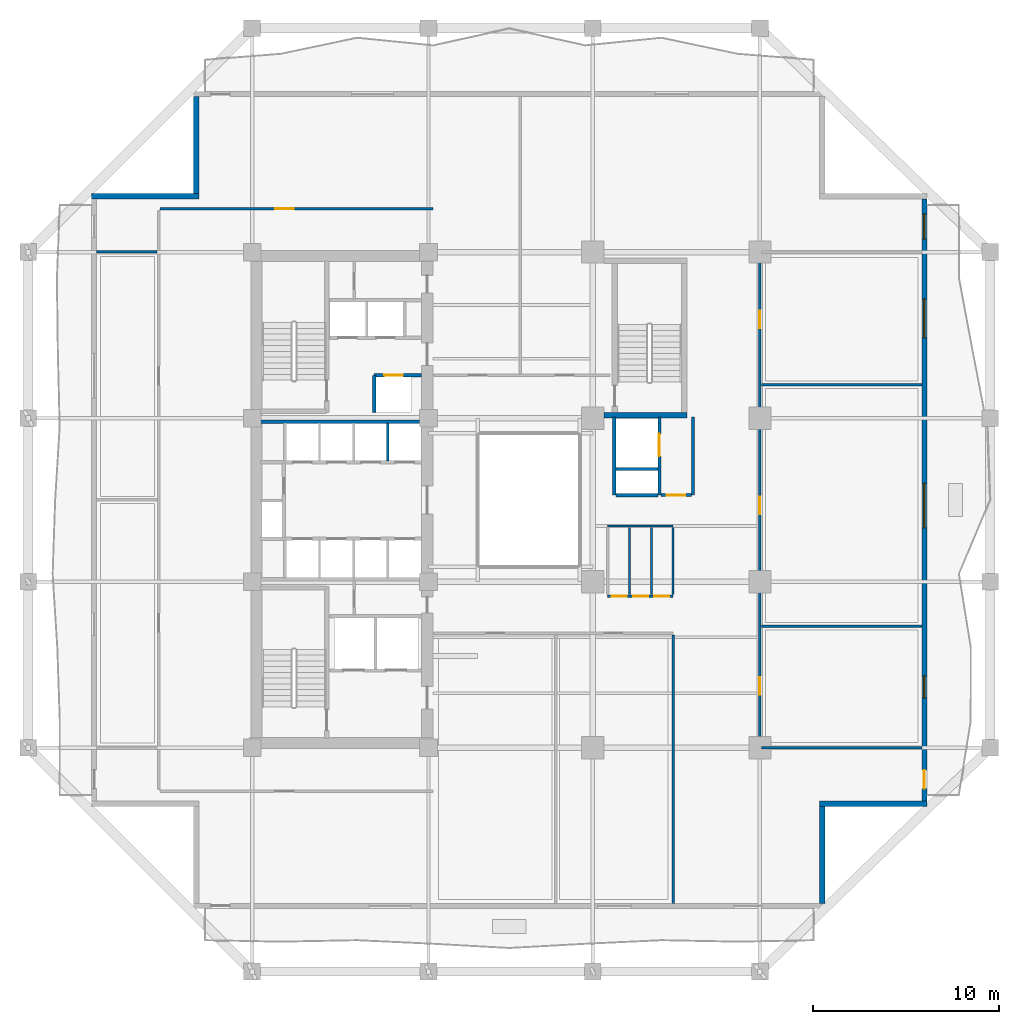
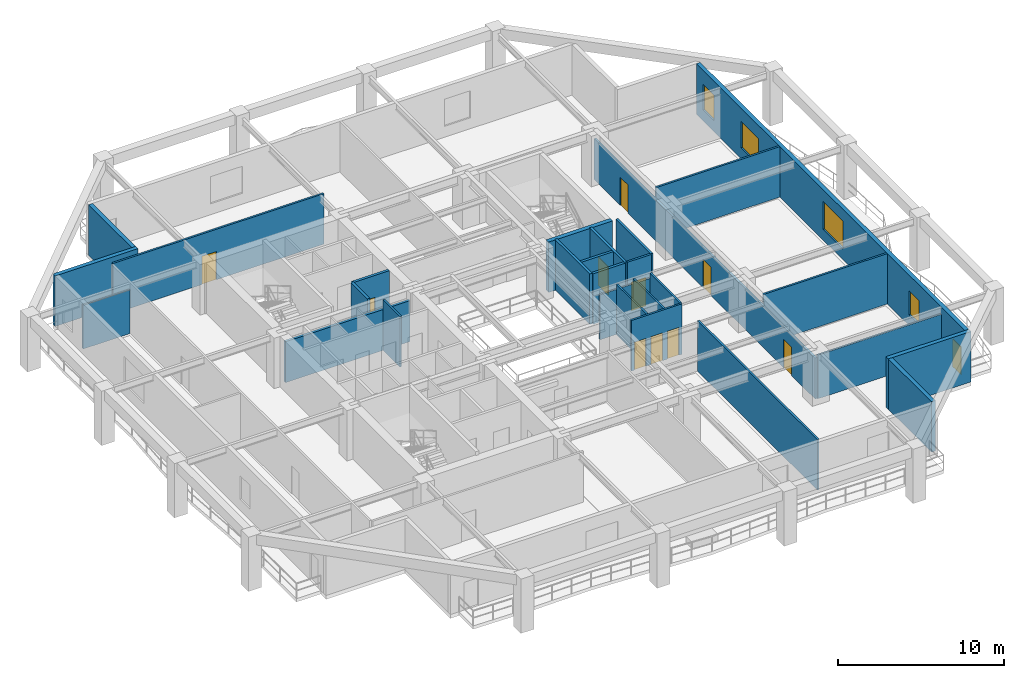
# One storey, part 4 of 12: 28 walls, 11 doors, 4 windows, 15 openings.
"""IFC4 building model written with IfcOpenShell, lengths in metres."""

from ifc_helpers import new_model, si_unit, direction, frame, frame_2d, origin, place, context, subcontext, project, spatial, rectangle, extrude, material, layer, layer_set, type_object, element, fill, save


model = new_model("IFC4")

# Units and contexts
model_context = context("Model", 3, precision=1e-05, world=origin(), true_north=direction((0.0, 1.0)))
body_context = subcontext(model_context, "Body", "Model", "MODEL_VIEW")
ifc_project = project(units=[si_unit("LENGTHUNIT", "METRE"), si_unit("AREAUNIT", "SQUARE_METRE"), si_unit("VOLUMEUNIT", "CUBIC_METRE"), si_unit("PLANEANGLEUNIT", "RADIAN"), si_unit("MASSUNIT", "GRAM", prefix="KILO")], contexts=[model_context])

# Site, building, storey
site_placement = place(None, origin())
site = spatial("IfcSite", under=ifc_project, at=site_placement, CompositionType="ELEMENT")
building_placement = place(site_placement, origin())
building = spatial("IfcBuilding", under=site, at=building_placement, Name="Kundavana Baori Tower", CompositionType="ELEMENT")
storey_placement = place(building_placement, frame((0.0, 0.0, 38.0)))
storey = spatial("IfcBuildingStorey", under=building, at=storey_placement, Name="L08", CompositionType="ELEMENT", Elevation=38.0)

# Walls
ifc_material_1 = material(Name="Red-Buff Dholpur Sandstone Cladding on Concrete C40/50", Category="masonry")
ifc_layer_1 = layer(ifc_material_1, 0.280029296875, Name="WL-EXT-SAND-280")
ifc_layer_set_1 = layer_set([ifc_layer_1], Name="Red-Buff Dholpur Sandstone Cladding on Concrete C40/50")
wall_type_1 = type_object("IfcWallType", Name="WL-EXT-SAND-280", PredefinedType="STANDARD", material=ifc_layer_set_1)
wall_1_placement = place(storey_placement, frame((46.159912109375, 6.8798828125, 0.0), z_axis=(0.0, 0.0, 1.0), x_axis=(0.0, 1.0, 0.0)))
element("IfcWall", 1, at=wall_1_placement, inside=storey, type_object=wall_type_1, Name="L08 Exterior Insulated Facade Wall 02", PredefinedType="STANDARD", context=body_context, shape_type="SweptSolid", body=[
    extrude(rectangle(XDim=5.22021484375, YDim=0.280029296875, at=frame_2d((2.610107421875, 0.0))), origin(), (0.0, 0.0, 1.0), 3.719970703125),
])
wall_2_placement = place(storey_placement, frame((46.02001953125, 12.239990234375, 0.0), z_axis=(0.0, 0.0, 1.0), x_axis=(1.0, 0.0, 0.0)))
element("IfcWall", 2, at=wall_2_placement, inside=storey, type_object=wall_type_1, Name="L08 Exterior Insulated Facade Wall 03", PredefinedType="STANDARD", context=body_context, shape_type="SweptSolid", body=[
    extrude(rectangle(XDim=5.780029296875, YDim=0.280029296875, at=frame_2d((2.89013671875, 0.0))), origin(), (0.0, 0.0, 1.0), 3.719970703125),
])

# Wall, openings, door, windows
wall_3_placement = place(storey_placement, frame((51.659912109375, 12.3798828125, 0.0), z_axis=(0.0, 0.0, 1.0), x_axis=(0.0, 1.0, 0.0)))
wall_3 = element("IfcWall", 3, at=wall_3_placement, inside=storey, type_object=wall_type_1, Name="L08 Exterior Insulated Facade Wall 04", PredefinedType="STANDARD", context=body_context, shape_type="SweptSolid", body=[
    extrude(rectangle(XDim=32.440185546875, YDim=0.280029296875, at=frame_2d((16.22021484375, 0.0))), origin(), (0.0, 0.0, 1.0), 3.719970703125),
])
opening_1_placement = place(wall_3_placement, frame((0.669921875, 0.0, 0.0)))
opening_1 = element("IfcOpeningElement", 4, at=opening_1_placement, cuts=wall_3, Name="Opening BD-1", PredefinedType="OPENING", context=body_context, shape_type="SweptSolid", body=[
    extrude(rectangle(XDim=1.0, YDim=2.050048828125, at=frame_2d((0.5, 1.02490234375))), frame((0.0, 0.14990234375, 0.0), z_axis=(0.0, -1.0, 0.0), x_axis=(1.0, 0.0, 0.0)), (0.0, 0.0, 1.0), 0.300048828125),
])
opening_2_placement = place(wall_3_placement, frame((5.544921875, 0.0, 0.800048828125)))
opening_2 = element("IfcOpeningElement", 5, at=opening_2_placement, cuts=wall_3, Name="Opening W-03", PredefinedType="OPENING", context=body_context, shape_type="SweptSolid", body=[
    extrude(rectangle(XDim=1.199951171875, YDim=1.75, at=frame_2d((0.60009765625, 0.875))), frame((0.0, 0.14990234375, 0.0), z_axis=(0.0, -1.0, 0.0), x_axis=(1.0, 0.0, 0.0)), (0.0, 0.0, 1.0), 0.300048828125),
])
opening_3_placement = place(wall_3_placement, frame((14.719970703125, 0.0, 0.800048828125)))
opening_3 = element("IfcOpeningElement", 6, at=opening_3_placement, cuts=wall_3, Name="Opening W-04", PredefinedType="OPENING", context=body_context, shape_type="SweptSolid", body=[
    extrude(rectangle(XDim=2.39990234375, YDim=2.050048828125, at=frame_2d((1.199951171875, 1.02490234375))), frame((0.0, 0.14990234375, 0.0), z_axis=(0.0, -1.0, 0.0), x_axis=(1.0, 0.0, 0.0)), (0.0, 0.0, 1.0), 0.300048828125),
])
opening_4_placement = place(wall_3_placement, frame((24.945068359375, 0.0, 0.800048828125)))
opening_4 = element("IfcOpeningElement", 7, at=opening_4_placement, cuts=wall_3, Name="Opening W-05", PredefinedType="OPENING", context=body_context, shape_type="SweptSolid", body=[
    extrude(rectangle(XDim=2.10009765625, YDim=1.949951171875, at=frame_2d((1.050048828125, 0.97509765625))), frame((0.0, 0.14990234375, 0.0), z_axis=(0.0, -1.0, 0.0), x_axis=(1.0, 0.0, 0.0)), (0.0, 0.0, 1.0), 0.300048828125),
])
opening_5_placement = place(wall_3_placement, frame((30.27490234375, 0.0, 0.800048828125)))
opening_5 = element("IfcOpeningElement", 8, at=opening_5_placement, cuts=wall_3, Name="Opening W-07", PredefinedType="OPENING", context=body_context, shape_type="SweptSolid", body=[
    extrude(rectangle(XDim=1.35009765625, YDim=1.89990234375, at=frame_2d((0.675048828125, 0.949951171875))), frame((0.0, 0.14990234375, 0.0), z_axis=(0.0, -1.0, 0.0), x_axis=(1.0, 0.0, 0.0)), (0.0, 0.0, 1.0), 0.300048828125),
])
ifc_material_2 = material(Name="Architectural Patinated Bronze Metalwork")
door_type_1 = type_object("IfcDoorType", Name="DR-EXT-LOG-1000", OperationType="NOTDEFINED", PredefinedType="DOOR", material=ifc_material_2)
door_1_placement = place(opening_1_placement, frame((1.0, 0.0, 0.0), z_axis=(0.0, 0.0, 1.0), x_axis=(-1.0, 0.0, 0.0)))
door_1 = element("IfcDoor", 9, at=door_1_placement, inside=storey, type_object=door_type_1, Name="L08 Loggia Balcony Access Door E", OperationType="SINGLE_SWING_RIGHT", OverallHeight=2.050048828125, OverallWidth=1.0, PredefinedType="DOOR", context=body_context, shape_type="SweptSolid", body=[
    extrude(rectangle(XDim=1.0, YDim=2.050048828125, at=frame_2d((0.5, 1.02490234375))), frame((0.0, 0.02490234375, 0.0), z_axis=(0.0, -1.0, 0.0), x_axis=(1.0, 0.0, 0.0)), (0.0, 0.0, 1.0), 0.050048828125),
])
fill(opening_1, door_1)
ifc_material_3 = material(Name="Double-Glazed Solar-Control Low-E Insulated Glass", Category="glass")
window_type_1 = type_object("IfcWindowType", Name="WIN-LOG-1200x1750", PartitioningType="SINGLE_PANEL", PredefinedType="WINDOW", material=ifc_material_3)
window_1_placement = place(opening_2_placement, origin())
window_1 = element("IfcWindow", 10, at=window_1_placement, inside=storey, type_object=window_type_1, Name="L08 Recessed Loggia Window E-2", OverallHeight=1.75, OverallWidth=1.199951171875, PartitioningType="SINGLE_PANEL", PredefinedType="WINDOW", context=body_context, shape_type="SweptSolid", body=[
    extrude(rectangle(XDim=1.199951171875, YDim=1.75, at=frame_2d((0.60009765625, 0.875))), frame((0.0, 0.030029296875, 0.0), z_axis=(0.0, -1.0, 0.0), x_axis=(1.0, 0.0, 0.0)), (0.0, 0.0, 1.0), 0.06005859375),
])
fill(opening_2, window_1)
ifc_material_4 = material(Name="Double-Glazed Solar-Control Low-E Insulated Glass", Category="glass")
window_type_2 = type_object("IfcWindowType", Name="WIN-LOG-1350x1900", PartitioningType="SINGLE_PANEL", PredefinedType="WINDOW", material=ifc_material_4)
window_2_placement = place(opening_5_placement, origin())
window_2 = element("IfcWindow", 11, at=window_2_placement, inside=storey, type_object=window_type_2, Name="L08 Recessed Loggia Window E-5", OverallHeight=1.89990234375, OverallWidth=1.35009765625, PartitioningType="SINGLE_PANEL", PredefinedType="WINDOW", context=body_context, shape_type="SweptSolid", body=[
    extrude(rectangle(XDim=1.35009765625, YDim=1.89990234375, at=frame_2d((0.675048828125, 0.949951171875))), frame((0.0, 0.030029296875, 0.0), z_axis=(0.0, -1.0, 0.0), x_axis=(1.0, 0.0, 0.0)), (0.0, 0.0, 1.0), 0.06005859375),
])
fill(opening_5, window_2)
ifc_material_5 = material(Name="Double-Glazed Solar-Control Low-E Insulated Glass", Category="glass")
window_type_3 = type_object("IfcWindowType", Name="WIN-LOG-2100x1950", PartitioningType="SINGLE_PANEL", PredefinedType="WINDOW", material=ifc_material_5)
window_3_placement = place(opening_4_placement, origin())
window_3 = element("IfcWindow", 12, at=window_3_placement, inside=storey, type_object=window_type_3, Name="L08 Recessed Loggia Window E-4", OverallHeight=1.949951171875, OverallWidth=2.10009765625, PartitioningType="SINGLE_PANEL", PredefinedType="WINDOW", context=body_context, shape_type="SweptSolid", body=[
    extrude(rectangle(XDim=2.10009765625, YDim=1.949951171875, at=frame_2d((1.050048828125, 0.97509765625))), frame((0.0, 0.030029296875, 0.0), z_axis=(0.0, -1.0, 0.0), x_axis=(1.0, 0.0, 0.0)), (0.0, 0.0, 1.0), 0.06005859375),
])
fill(opening_4, window_3)
ifc_material_6 = material(Name="Double-Glazed Solar-Control Low-E Insulated Glass", Category="glass")
window_type_4 = type_object("IfcWindowType", Name="WIN-LOG-2400x2050", PartitioningType="SINGLE_PANEL", PredefinedType="WINDOW", material=ifc_material_6)
window_4_placement = place(opening_3_placement, origin())
window_4 = element("IfcWindow", 13, at=window_4_placement, inside=storey, type_object=window_type_4, Name="L08 Recessed Loggia Window E-3", OverallHeight=2.050048828125, OverallWidth=2.39990234375, PartitioningType="SINGLE_PANEL", PredefinedType="WINDOW", context=body_context, shape_type="SweptSolid", body=[
    extrude(rectangle(XDim=2.39990234375, YDim=2.050048828125, at=frame_2d((1.199951171875, 1.02490234375))), frame((0.0, 0.030029296875, 0.0), z_axis=(0.0, -1.0, 0.0), x_axis=(1.0, 0.0, 0.0)), (0.0, 0.0, 1.0), 0.06005859375),
])
fill(opening_3, window_4)

# Walls
wall_4_placement = place(storey_placement, frame((12.43994140625, 50.320068359375, 0.0), z_axis=(0.0, 0.0, 1.0), x_axis=(0.0, -1.0, 0.0)))
element("IfcWall", 14, at=wall_4_placement, inside=storey, type_object=wall_type_1, Name="L08 Exterior Insulated Facade Wall 08", PredefinedType="STANDARD", context=body_context, shape_type="SweptSolid", body=[
    extrude(rectangle(XDim=5.219970703125, YDim=0.280029296875, at=frame_2d((2.60986328125, 0.0))), origin(), (0.0, 0.0, 1.0), 3.719970703125),
])
wall_5_placement = place(storey_placement, frame((12.580078125, 44.9599609375, 0.0), z_axis=(0.0, 0.0, 1.0), x_axis=(-1.0, 0.0, 0.0)))
element("IfcWall", 15, at=wall_5_placement, inside=storey, type_object=wall_type_1, Name="L08 Exterior Insulated Facade Wall 09", PredefinedType="STANDARD", context=body_context, shape_type="SweptSolid", body=[
    extrude(rectangle(XDim=5.780029296875, YDim=0.280029296875, at=frame_2d((2.89013671875, 0.0))), origin(), (0.0, 0.0, 1.0), 3.719970703125),
])
ifc_material_7 = material(Name="Acoustic Gypsum Plasterboard on Galvanised Steel Studs", Category="steel")
ifc_layer_2 = layer(ifc_material_7, 0.1201171875, Name="WL-PART-120")
ifc_layer_set_2 = layer_set([ifc_layer_2], Name="Acoustic Gypsum Plasterboard on Galvanised Steel Studs")
wall_type_2 = type_object("IfcWallType", Name="WL-PART-120", PredefinedType="PARTITIONING", material=ifc_layer_set_2)
wall_6_placement = place(storey_placement, frame((22.760009765625, 30.699951171875, 0.0), z_axis=(0.0, 0.0, 1.0), x_axis=(0.0, 1.0, 0.0)))
element("IfcWall", 16, at=wall_6_placement, inside=storey, type_object=wall_type_2, Name="WL-L08-LPMID-D3", PredefinedType="PARTITIONING", context=body_context, shape_type="SweptSolid", body=[
    extrude(rectangle(XDim=2.050048828125, YDim=0.1201171875, at=frame_2d((1.02490234375, 0.0))), origin(), (0.0, 0.0, 1.0), 3.719970703125),
])
ifc_material_8 = material(Name="Acoustic Gypsum Plasterboard on Galvanised Steel Studs", Category="steel")
ifc_layer_3 = layer(ifc_material_8, 0.135009765625, Name="WL-PART-135")
ifc_layer_set_3 = layer_set([ifc_layer_3], Name="Acoustic Gypsum Plasterboard on Galvanised Steel Studs")
wall_type_3 = type_object("IfcWallType", Name="WL-PART-135", PredefinedType="PARTITIONING", material=ifc_layer_set_3)
wall_7_placement = place(storey_placement, frame((38.1201171875, 6.8798828125, 0.0), z_axis=(0.0, 0.0, 1.0), x_axis=(0.0, 1.0, 0.0)))
element("IfcWall", 17, at=wall_7_placement, inside=storey, type_object=wall_type_3, Name="WL-L08-OFSEND", PredefinedType="PARTITIONING", context=body_context, shape_type="SweptSolid", body=[
    extrude(rectangle(XDim=14.460205078125, YDim=0.135009765625, at=frame_2d((7.22998046875, 0.0))), origin(), (0.0, 0.0, 1.0), 3.719970703125),
])

# Wall, openings, doors
wall_8_placement = place(storey_placement, frame((34.60009765625, 23.419921875, 0.0), z_axis=(0.0, 0.0, 1.0), x_axis=(1.0, 0.0, 0.0)))
wall_8 = element("IfcWall", 18, at=wall_8_placement, inside=storey, type_object=wall_type_3, Name="WL-L08-OFST", PredefinedType="PARTITIONING", context=body_context, shape_type="SweptSolid", body=[
    extrude(rectangle(XDim=3.52001953125, YDim=0.135009765625, at=frame_2d((1.760009765625, 0.0))), origin(), (0.0, 0.0, 1.0), 3.719970703125),
])
opening_6_placement = place(wall_8_placement, frame((0.219970703125, 0.0, 0.0)))
opening_6 = element("IfcOpeningElement", 19, at=opening_6_placement, cuts=wall_8, Name="Opening WD-080", PredefinedType="OPENING", context=body_context, shape_type="SweptSolid", body=[
    extrude(rectangle(XDim=0.800048828125, YDim=2.050048828125, at=frame_2d((0.39990234375, 1.02490234375))), frame((0.0, 0.07763671875, 0.0), z_axis=(0.0, -1.0, 0.0), x_axis=(1.0, 0.0, 0.0)), (0.0, 0.0, 1.0), 0.155029296875),
])
opening_7_placement = place(wall_8_placement, frame((1.3798828125, 0.0, 0.0)))
opening_7 = element("IfcOpeningElement", 20, at=opening_7_placement, cuts=wall_8, Name="Opening WD-080", PredefinedType="OPENING", context=body_context, shape_type="SweptSolid", body=[
    extrude(rectangle(XDim=0.800048828125, YDim=2.050048828125, at=frame_2d((0.39990234375, 1.02490234375))), frame((0.0, 0.07763671875, 0.0), z_axis=(0.0, -1.0, 0.0), x_axis=(1.0, 0.0, 0.0)), (0.0, 0.0, 1.0), 0.155029296875),
])
opening_8_placement = place(wall_8_placement, frame((2.52001953125, 0.0, 0.0)))
opening_8 = element("IfcOpeningElement", 21, at=opening_8_placement, cuts=wall_8, Name="Opening WD-080", PredefinedType="OPENING", context=body_context, shape_type="SweptSolid", body=[
    extrude(rectangle(XDim=0.800048828125, YDim=2.050048828125, at=frame_2d((0.39990234375, 1.02490234375))), frame((0.0, 0.07763671875, 0.0), z_axis=(0.0, -1.0, 0.0), x_axis=(1.0, 0.0, 0.0)), (0.0, 0.0, 1.0), 0.155029296875),
])
ifc_material_9 = material(Name="Engineered Teak Solid-Core Timber Veneer", Category="wood")
door_type_2 = type_object("IfcDoorType", Name="DR-WET-800", OperationType="NOTDEFINED", PredefinedType="DOOR", material=ifc_material_9)
door_2_placement = place(opening_6_placement, origin())
door_2 = element("IfcDoor", 22, at=door_2_placement, inside=storey, type_object=door_type_2, Name="DR-L08-WCM", OperationType="SINGLE_SWING_LEFT", OverallHeight=2.050048828125, OverallWidth=0.800048828125, PredefinedType="DOOR", context=body_context, shape_type="SweptSolid", body=[
    extrude(rectangle(XDim=0.800048828125, YDim=2.050048828125, at=frame_2d((0.39990234375, 1.02490234375))), frame((0.0, 0.02490234375, 0.0), z_axis=(0.0, -1.0, 0.0), x_axis=(1.0, 0.0, 0.0)), (0.0, 0.0, 1.0), 0.050048828125),
])
fill(opening_6, door_2)
door_3_placement = place(opening_7_placement, origin())
door_3 = element("IfcDoor", 23, at=door_3_placement, inside=storey, type_object=door_type_2, Name="DR-L08-WCA", OperationType="SINGLE_SWING_RIGHT", OverallHeight=2.050048828125, OverallWidth=0.800048828125, PredefinedType="DOOR", context=body_context, shape_type="SweptSolid", body=[
    extrude(rectangle(XDim=0.800048828125, YDim=2.050048828125, at=frame_2d((0.39990234375, 1.02490234375))), frame((0.0, 0.02490234375, 0.0), z_axis=(0.0, -1.0, 0.0), x_axis=(1.0, 0.0, 0.0)), (0.0, 0.0, 1.0), 0.050048828125),
])
fill(opening_7, door_3)
door_4_placement = place(opening_8_placement, origin())
door_4 = element("IfcDoor", 24, at=door_4_placement, inside=storey, type_object=door_type_2, Name="DR-L08-PNT", OperationType="SINGLE_SWING_LEFT", OverallHeight=2.050048828125, OverallWidth=0.800048828125, PredefinedType="DOOR", context=body_context, shape_type="SweptSolid", body=[
    extrude(rectangle(XDim=0.800048828125, YDim=2.050048828125, at=frame_2d((0.39990234375, 1.02490234375))), frame((0.0, 0.02490234375, 0.0), z_axis=(0.0, -1.0, 0.0), x_axis=(1.0, 0.0, 0.0)), (0.0, 0.0, 1.0), 0.050048828125),
])
fill(opening_8, door_4)

wall_9_placement = place(storey_placement, frame((42.800048828125, 15.25, 0.0), z_axis=(0.0, 0.0, 1.0), x_axis=(0.0, 1.0, 0.0)))
wall_9 = element("IfcWall", 25, at=wall_9_placement, inside=storey, type_object=wall_type_3, Name="WL-L08-OFE", PredefinedType="PARTITIONING", context=body_context, shape_type="SweptSolid", body=[
    extrude(rectangle(XDim=26.699951171875, YDim=0.135009765625, at=frame_2d((13.35009765625, 0.0))), origin(), (0.0, 0.0, 1.0), 3.02001953125),
])
opening_9_placement = place(wall_9_placement, frame((2.85009765625, 0.0, 0.0)))
opening_9 = element("IfcOpeningElement", 26, at=opening_9_placement, cuts=wall_9, Name="Opening ID-095", PredefinedType="OPENING", context=body_context, shape_type="SweptSolid", body=[
    extrude(rectangle(XDim=0.949951171875, YDim=2.080078125, at=frame_2d((0.47509765625, 1.0400390625))), frame((0.0, 0.07763671875, 0.0), z_axis=(0.0, -1.0, 0.0), x_axis=(1.0, 0.0, 0.0)), (0.0, 0.0, 1.0), 0.155029296875),
])
opening_10_placement = place(wall_9_placement, frame((12.574951171875, 0.0, 0.0)))
opening_10 = element("IfcOpeningElement", 27, at=opening_10_placement, cuts=wall_9, Name="Opening ID-095", PredefinedType="OPENING", context=body_context, shape_type="SweptSolid", body=[
    extrude(rectangle(XDim=0.949951171875, YDim=2.080078125, at=frame_2d((0.47509765625, 1.0400390625))), frame((0.0, 0.07763671875, 0.0), z_axis=(0.0, -1.0, 0.0), x_axis=(1.0, 0.0, 0.0)), (0.0, 0.0, 1.0), 0.155029296875),
])
opening_11_placement = place(wall_9_placement, frame((22.60009765625, 0.0, 0.0)))
opening_11 = element("IfcOpeningElement", 28, at=opening_11_placement, cuts=wall_9, Name="Opening ID-095", PredefinedType="OPENING", context=body_context, shape_type="SweptSolid", body=[
    extrude(rectangle(XDim=0.949951171875, YDim=2.080078125, at=frame_2d((0.47509765625, 1.0400390625))), frame((0.0, 0.07763671875, 0.0), z_axis=(0.0, -1.0, 0.0), x_axis=(1.0, 0.0, 0.0)), (0.0, 0.0, 1.0), 0.155029296875),
])
ifc_material_10 = material(Name="Engineered Teak Solid-Core Timber Veneer", Category="wood")
door_type_3 = type_object("IfcDoorType", Name="DR-INT-950", OperationType="NOTDEFINED", PredefinedType="DOOR", material=ifc_material_10)
door_5_placement = place(opening_9_placement, origin())
door_5 = element("IfcDoor", 29, at=door_5_placement, inside=storey, type_object=door_type_3, Name="DR-L08-OFE1", OperationType="SINGLE_SWING_RIGHT", OverallHeight=2.080078125, OverallWidth=0.949951171875, PredefinedType="DOOR", context=body_context, shape_type="SweptSolid", body=[
    extrude(rectangle(XDim=0.949951171875, YDim=2.080078125, at=frame_2d((0.47509765625, 1.0400390625))), frame((0.0, 0.02490234375, 0.0), z_axis=(0.0, -1.0, 0.0), x_axis=(1.0, 0.0, 0.0)), (0.0, 0.0, 1.0), 0.050048828125),
])
fill(opening_9, door_5)
door_6_placement = place(opening_10_placement, origin())
door_6 = element("IfcDoor", 30, at=door_6_placement, inside=storey, type_object=door_type_3, Name="DR-L08-OFE2", OperationType="SINGLE_SWING_LEFT", OverallHeight=2.080078125, OverallWidth=0.949951171875, PredefinedType="DOOR", context=body_context, shape_type="SweptSolid", body=[
    extrude(rectangle(XDim=0.949951171875, YDim=2.080078125, at=frame_2d((0.47509765625, 1.0400390625))), frame((0.0, 0.02490234375, 0.0), z_axis=(0.0, -1.0, 0.0), x_axis=(1.0, 0.0, 0.0)), (0.0, 0.0, 1.0), 0.050048828125),
])
fill(opening_10, door_6)
door_7_placement = place(opening_11_placement, origin())
door_7 = element("IfcDoor", 31, at=door_7_placement, inside=storey, type_object=door_type_3, Name="DR-L08-OFE3", OperationType="SINGLE_SWING_RIGHT", OverallHeight=2.080078125, OverallWidth=0.949951171875, PredefinedType="DOOR", context=body_context, shape_type="SweptSolid", body=[
    extrude(rectangle(XDim=0.949951171875, YDim=2.080078125, at=frame_2d((0.47509765625, 1.0400390625))), frame((0.0, 0.02490234375, 0.0), z_axis=(0.0, -1.0, 0.0), x_axis=(1.0, 0.0, 0.0)), (0.0, 0.0, 1.0), 0.050048828125),
])
fill(opening_11, door_7)

# Walls
wall_10_placement = place(storey_placement, frame((42.8798828125, 15.25, 0.0), z_axis=(0.0, 0.0, 1.0), x_axis=(1.0, 0.0, 0.0)))
element("IfcWall", 32, at=wall_10_placement, inside=storey, type_object=wall_type_3, Name="WL-L08-OFES", PredefinedType="PARTITIONING", context=body_context, shape_type="SweptSolid", body=[
    extrude(rectangle(XDim=8.64013671875, YDim=0.135009765625, at=frame_2d((4.320068359375, 0.0))), origin(), (0.0, 0.0, 1.0), 3.219970703125),
])
wall_11_placement = place(storey_placement, frame((7.080078125, 41.97998046875, 0.0), z_axis=(0.0, 0.0, 1.0), x_axis=(1.0, 0.0, 0.0)))
element("IfcWall", 33, at=wall_11_placement, inside=storey, type_object=wall_type_3, Name="WL-L08-OWN", PredefinedType="PARTITIONING", context=body_context, shape_type="SweptSolid", body=[
    extrude(rectangle(XDim=3.260009765625, YDim=0.135009765625, at=frame_2d((1.6298828125, 0.0))), origin(), (0.0, 0.0, 1.0), 3.219970703125),
])

# Wall, opening, door
wall_12_placement = place(storey_placement, frame((10.5, 44.280029296875, 0.0), z_axis=(0.0, 0.0, 1.0), x_axis=(1.0, 0.0, 0.0)))
wall_12 = element("IfcWall", 34, at=wall_12_placement, inside=storey, type_object=wall_type_3, Name="WL-L08-ONC", PredefinedType="PARTITIONING", context=body_context, shape_type="SweptSolid", body=[
    extrude(rectangle(XDim=14.699951171875, YDim=0.135009765625, at=frame_2d((7.35009765625, 0.0))), origin(), (0.0, 0.0, 1.0), 3.719970703125),
])
opening_12_placement = place(wall_12_placement, frame((6.199951171875, 0.0, 0.0)))
opening_12 = element("IfcOpeningElement", 35, at=opening_12_placement, cuts=wall_12, Name="Opening ID-100", PredefinedType="OPENING", context=body_context, shape_type="SweptSolid", body=[
    extrude(rectangle(XDim=1.0, YDim=2.080078125, at=frame_2d((0.5, 1.0400390625))), frame((0.0, 0.07763671875, 0.0), z_axis=(0.0, -1.0, 0.0), x_axis=(1.0, 0.0, 0.0)), (0.0, 0.0, 1.0), 0.155029296875),
])
ifc_material_11 = material(Name="Engineered Teak Solid-Core Timber Veneer", Category="wood")
door_type_4 = type_object("IfcDoorType", Name="DR-INT-1000", OperationType="NOTDEFINED", PredefinedType="DOOR", material=ifc_material_11)
door_8_placement = place(opening_12_placement, origin())
door_8 = element("IfcDoor", 36, at=door_8_placement, inside=storey, type_object=door_type_4, Name="DR-L08-ONWC", OperationType="SINGLE_SWING_RIGHT", OverallHeight=2.080078125, OverallWidth=1.0, PredefinedType="DOOR", context=body_context, shape_type="SweptSolid", body=[
    extrude(rectangle(XDim=1.0, YDim=2.080078125, at=frame_2d((0.5, 1.0400390625))), frame((0.0, 0.02490234375, 0.0), z_axis=(0.0, -1.0, 0.0), x_axis=(1.0, 0.0, 0.0)), (0.0, 0.0, 1.0), 0.050048828125),
])
fill(opening_12, door_8)

# Walls
for number, where, z_axis, x_axis, name in (
    (37, (42.8798828125, 21.800048828125, 0.0), (0.0, 0.0, 1.0), (1.0, 0.0, 0.0), "WL-L08-ED1"),
    (38, (42.8798828125, 34.800048828125, 0.0), (0.0, 0.0, 1.0), (1.0, 0.0, 0.0), "WL-L08-ED2"),
):
    element("IfcWall", number, at=place(storey_placement, frame(where, z_axis=z_axis, x_axis=x_axis)), inside=storey, type_object=wall_type_3, Name=name, PredefinedType="PARTITIONING", context=body_context, shape_type="SweptSolid", body=[
        extrude(rectangle(XDim=8.64013671875, YDim=0.135009765625, at=frame_2d((4.320068359375, 0.0))), origin(), (0.0, 0.0, 1.0), 3.719970703125),
    ])
ifc_material_12 = material(Name="Fire-Rated Gypsum Drywall on Galvanised Steel Studs", Category="steel")
ifc_layer_4 = layer(ifc_material_12, 0.14990234375, Name="WL-PART-150")
ifc_layer_set_4 = layer_set([ifc_layer_4], Name="Fire-Rated Gypsum Drywall on Galvanised Steel Studs")
wall_type_4 = type_object("IfcWallType", Name="WL-PART-150", PredefinedType="PARTITIONING", material=ifc_layer_set_4)
wall_13_placement = place(storey_placement, frame((39.199951171875, 28.860107421875, 0.0), z_axis=(0.0, 0.0, 1.0), x_axis=(0.0, 1.0, 0.0)))
element("IfcWall", 39, at=wall_13_placement, inside=storey, type_object=wall_type_4, Name="WL-L08-SVLOB-E", PredefinedType="PARTITIONING", context=body_context, shape_type="SweptSolid", body=[
    extrude(rectangle(XDim=4.219970703125, YDim=0.14990234375, at=frame_2d((2.10986328125, 0.0))), origin(), (0.0, 0.0, 1.0), 3.719970703125),
])

# Wall, opening, door
wall_14_placement = place(storey_placement, frame((37.47998046875, 28.860107421875, 0.0), z_axis=(0.0, 0.0, 1.0), x_axis=(1.0, 0.0, 0.0)))
wall_14 = element("IfcWall", 40, at=wall_14_placement, inside=storey, type_object=wall_type_4, Name="WL-L08-SVLOB-S", PredefinedType="PARTITIONING", context=body_context, shape_type="SweptSolid", body=[
    extrude(rectangle(XDim=1.64013671875, YDim=0.14990234375, at=frame_2d((0.820068359375, 0.0))), origin(), (0.0, 0.0, 1.0), 3.719970703125),
])
opening_13_placement = place(wall_14_placement, frame((0.300048828125, 0.0, 0.0)))
opening_13 = element("IfcOpeningElement", 41, at=opening_13_placement, cuts=wall_14, Name="Opening FD-100", PredefinedType="OPENING", context=body_context, shape_type="SweptSolid", body=[
    extrude(rectangle(XDim=1.0, YDim=2.10009765625, at=frame_2d((0.5, 1.050048828125))), frame((0.0, 0.0849609375, 0.0), z_axis=(0.0, -1.0, 0.0), x_axis=(1.0, 0.0, 0.0)), (0.0, 0.0, 1.0), 0.169921875),
])
ifc_material_13 = material(Name="Engineered Teak Fire-Rated Timber Door Leaf", Category="wood")
door_type_5 = type_object("IfcDoorType", Name="DR-FD60-1000", OperationType="NOTDEFINED", PredefinedType="DOOR", material=ifc_material_13)
door_9_placement = place(opening_13_placement, origin())
door_9 = element("IfcDoor", 42, at=door_9_placement, inside=storey, type_object=door_type_5, Name="DR-L08-SVLOB-OUT", OperationType="SINGLE_SWING_LEFT", OverallHeight=2.10009765625, OverallWidth=1.0, PredefinedType="DOOR", context=body_context, shape_type="SweptSolid", body=[
    extrude(rectangle(XDim=1.0, YDim=2.10009765625, at=frame_2d((0.5, 1.050048828125))), frame((0.0, 0.02490234375, 0.0), z_axis=(0.0, -1.0, 0.0), x_axis=(1.0, 0.0, 0.0)), (0.0, 0.0, 1.0), 0.050048828125),
])
fill(opening_13, door_9)

# Wall
ifc_material_14 = material(Name="Autoclaved Aerated Concrete Blockwork Masonry", Category="masonry")
ifc_layer_5 = layer(ifc_material_14, 0.179931640625, Name="WL-SHAFT-180")
ifc_layer_set_5 = layer_set([ifc_layer_5], Name="Autoclaved Aerated Concrete Blockwork Masonry")
wall_type_5 = type_object("IfcWallType", Name="WL-SHAFT-180", PredefinedType="SOLIDWALL", material=ifc_layer_set_5)
wall_15_placement = place(storey_placement, frame((15.89990234375, 32.820068359375, 0.0), z_axis=(0.0, 0.0, 1.0), x_axis=(1.0, 0.0, 0.0)))
element("IfcWall", 43, at=wall_15_placement, inside=storey, type_object=wall_type_5, Name="WL-L08-LPMID-N", PredefinedType="SOLIDWALL", context=body_context, shape_type="SweptSolid", body=[
    extrude(rectangle(XDim=8.68017578125, YDim=0.179931640625, at=frame_2d((4.340087890625, 0.0))), origin(), (0.0, 0.0, 1.0), 3.02001953125),
])

# Wall, opening, door
wall_16_placement = place(storey_placement, frame((22.02001953125, 35.31005859375, 0.0), z_axis=(0.0, 0.0, 1.0), x_axis=(1.0, 0.0, 0.0)))
wall_16 = element("IfcWall", 44, at=wall_16_placement, inside=storey, type_object=wall_type_5, Name="WL-L08-LP11-N", PredefinedType="SOLIDWALL", context=body_context, shape_type="SweptSolid", body=[
    extrude(rectangle(XDim=2.56005859375, YDim=0.179931640625, at=frame_2d((1.280029296875, 0.0))), origin(), (0.0, 0.0, 1.0), 3.719970703125),
])
opening_14_placement = place(wall_16_placement, frame((0.550048828125, 0.0, 0.0)))
opening_14 = element("IfcOpeningElement", 45, at=opening_14_placement, cuts=wall_16, Name="Opening LD-100", PredefinedType="OPENING", context=body_context, shape_type="SweptSolid", body=[
    extrude(rectangle(XDim=1.0, YDim=2.10009765625, at=frame_2d((0.5, 1.050048828125))), frame((0.0, 0.10009765625, 0.0), z_axis=(0.0, -1.0, 0.0), x_axis=(1.0, 0.0, 0.0)), (0.0, 0.0, 1.0), 0.199951171875),
])
ifc_material_15 = material(Name="Galvanised Steel Fire-Rated Door Leaf", Category="steel")
door_type_6 = type_object("IfcDoorType", Name="DR-SLIDE-LD1000", OperationType="NOTDEFINED", PredefinedType="DOOR", material=ifc_material_15)
door_10_placement = place(opening_14_placement, origin())
door_10 = element("IfcDoor", 46, at=door_10_placement, inside=storey, type_object=door_type_6, Name="DR-L08-LD-LP11", OperationType="DOUBLE_DOOR_SLIDING", OverallHeight=2.10009765625, OverallWidth=1.0, PredefinedType="DOOR", context=body_context, shape_type="SweptSolid", body=[
    extrude(rectangle(XDim=1.0, YDim=2.10009765625, at=frame_2d((0.5, 1.050048828125))), frame((0.0, 0.02490234375, 0.0), z_axis=(0.0, -1.0, 0.0), x_axis=(1.0, 0.0, 0.0)), (0.0, 0.0, 1.0), 0.050048828125),
])
fill(opening_14, door_10)

# Walls
wall_17_placement = place(storey_placement, frame((22.02001953125, 33.300048828125, 0.0), z_axis=(0.0, 0.0, 1.0), x_axis=(0.0, 1.0, 0.0)))
element("IfcWall", 47, at=wall_17_placement, inside=storey, type_object=wall_type_5, Name="WL-L08-LP11-W", PredefinedType="SOLIDWALL", context=body_context, shape_type="SweptSolid", body=[
    extrude(rectangle(XDim=2.010009765625, YDim=0.179931640625, at=frame_2d((1.0048828125, 0.0))), origin(), (0.0, 0.0, 1.0), 3.719970703125),
])
wall_18_placement = place(storey_placement, frame((34.9599609375, 28.860107421875, 0.0), z_axis=(0.0, 0.0, 1.0), x_axis=(0.0, 1.0, 0.0)))
element("IfcWall", 48, at=wall_18_placement, inside=storey, type_object=wall_type_5, Name="WL-L08-SVL-W", PredefinedType="SOLIDWALL", context=body_context, shape_type="SweptSolid", body=[
    extrude(rectangle(XDim=4.219970703125, YDim=0.179931640625, at=frame_2d((2.10986328125, 0.0))), origin(), (0.0, 0.0, 1.0), 3.719970703125),
])

# Wall, opening, door
wall_19_placement = place(storey_placement, frame((37.389892578125, 28.860107421875, 0.0), z_axis=(0.0, 0.0, 1.0), x_axis=(0.0, 1.0, 0.0)))
wall_19 = element("IfcWall", 49, at=wall_19_placement, inside=storey, type_object=wall_type_5, Name="WL-L08-SVL-E", PredefinedType="SOLIDWALL", context=body_context, shape_type="SweptSolid", body=[
    extrude(rectangle(XDim=4.219970703125, YDim=0.179931640625, at=frame_2d((2.10986328125, 0.0))), origin(), (0.0, 0.0, 1.0), 3.719970703125),
])
opening_15_placement = place(wall_19_placement, frame((2.10009765625, 0.0, 0.0)))
opening_15 = element("IfcOpeningElement", 50, at=opening_15_placement, cuts=wall_19, Name="Opening LD-120", PredefinedType="OPENING", context=body_context, shape_type="SweptSolid", body=[
    extrude(rectangle(XDim=1.199951171875, YDim=2.1201171875, at=frame_2d((0.60009765625, 1.06005859375))), frame((0.0, 0.10009765625, 0.0), z_axis=(0.0, -1.0, 0.0), x_axis=(1.0, 0.0, 0.0)), (0.0, 0.0, 1.0), 0.199951171875),
])
ifc_material_16 = material(Name="Galvanised Steel Fire-Rated Door Leaf", Category="steel")
door_type_7 = type_object("IfcDoorType", Name="DR-SLIDE-LD1200", OperationType="NOTDEFINED", PredefinedType="DOOR", material=ifc_material_16)
door_11_placement = place(opening_15_placement, frame((1.199951171875, 0.0, 0.0), z_axis=(0.0, 0.0, 1.0), x_axis=(-1.0, 0.0, 0.0)))
door_11 = element("IfcDoor", 51, at=door_11_placement, inside=storey, type_object=door_type_7, Name="DR-L08-LD-SVL1", OperationType="DOUBLE_DOOR_SLIDING", OverallHeight=2.1201171875, OverallWidth=1.199951171875, PredefinedType="DOOR", context=body_context, shape_type="SweptSolid", body=[
    extrude(rectangle(XDim=1.199951171875, YDim=2.1201171875, at=frame_2d((0.60009765625, 1.06005859375))), frame((0.0, 0.02490234375, 0.0), z_axis=(0.0, -1.0, 0.0), x_axis=(1.0, 0.0, 0.0)), (0.0, 0.0, 1.0), 0.050048828125),
])
fill(opening_15, door_11)

# Walls
for number, where, z_axis, x_axis, name in (
    (52, (35.050048828125, 28.860107421875, 0.0), (0.0, 0.0, 1.0), (1.0, 0.0, 0.0), "WL-L08-SVL-S"),
    (53, (35.050048828125, 30.27001953125, 0.0), (0.0, 0.0, 1.0), (1.0, 0.0, 0.0), "WL-L08-SVL-M"),
):
    element("IfcWall", number, at=place(storey_placement, frame(where, z_axis=z_axis, x_axis=x_axis)), inside=storey, type_object=wall_type_5, Name=name, PredefinedType="SOLIDWALL", context=body_context, shape_type="SweptSolid", body=[
        extrude(rectangle(XDim=2.25, YDim=0.179931640625, at=frame_2d((1.125, 0.0))), origin(), (0.0, 0.0, 1.0), 3.719970703125),
    ])
ifc_material_17 = material(Name="Concrete C50/60", Category="concrete")
ifc_layer_6 = layer(ifc_material_17, 0.300048828125, Name="WL-ST3-300")
ifc_layer_set_6 = layer_set([ifc_layer_6], Name="Concrete C50/60")
wall_type_6 = type_object("IfcWallType", Name="WL-ST3-300", PredefinedType="SHEAR", material=ifc_layer_set_6)
wall_20_placement = place(storey_placement, frame((34.39990234375, 33.159912109375, 0.0), z_axis=(0.0, 0.0, 1.0), x_axis=(1.0, 0.0, 0.0)))
element("IfcWall", 54, at=wall_20_placement, inside=storey, type_object=wall_type_6, Name="L08 Stair ST3 South Shear Wall", PredefinedType="SHEAR", context=body_context, shape_type="SweptSolid", body=[
    extrude(rectangle(XDim=4.47021484375, YDim=0.300048828125, at=frame_2d((2.235107421875, 0.0))), origin(), (0.0, 0.0, 1.0), 3.719970703125),
])
ifc_material_18 = material(Name="Autoclaved Aerated Concrete Blockwork Masonry", Category="masonry")
ifc_layer_7 = layer(ifc_material_18, 0.125, Name="WL-WET-120")
ifc_layer_set_7 = layer_set([ifc_layer_7], Name="Autoclaved Aerated Concrete Blockwork Masonry")
wall_type_7 = type_object("IfcWallType", Name="WL-WET-120", PredefinedType="PLUMBINGWALL", material=ifc_layer_set_7)
wall_21_placement = place(storey_placement, frame((34.60009765625, 27.199951171875, 0.0), z_axis=(0.0, 0.0, 1.0), x_axis=(1.0, 0.0, 0.0)))
element("IfcWall", 55, at=wall_21_placement, inside=storey, type_object=wall_type_7, Name="WL-L08-WCN", PredefinedType="PLUMBINGWALL", context=body_context, shape_type="SweptSolid", body=[
    extrude(rectangle(XDim=3.52001953125, YDim=0.125, at=frame_2d((1.760009765625, 0.0))), origin(), (0.0, 0.0, 1.0), 3.320068359375),
])
for number, where, z_axis, x_axis, name in (
    (56, (38.1201171875, 23.5, 0.0), (0.0, 0.0, 1.0), (0.0, 1.0, 0.0), "WL-L08-WCE"),
    (57, (35.780029296875, 23.5, 0.0), (0.0, 0.0, 1.0), (0.0, 1.0, 0.0), "WL-L08-WCD1"),
    (58, (36.9599609375, 23.5, 0.0), (0.0, 0.0, 1.0), (0.0, 1.0, 0.0), "WL-L08-WCD2"),
):
    element("IfcWall", number, at=place(storey_placement, frame(where, z_axis=z_axis, x_axis=x_axis)), inside=storey, type_object=wall_type_7, Name=name, PredefinedType="PLUMBINGWALL", context=body_context, shape_type="SweptSolid", body=[
        extrude(rectangle(XDim=3.6201171875, YDim=0.125, at=frame_2d((1.81005859375, 0.0))), origin(), (0.0, 0.0, 1.0), 3.719970703125),
    ])

save(model, "model.ifc")
